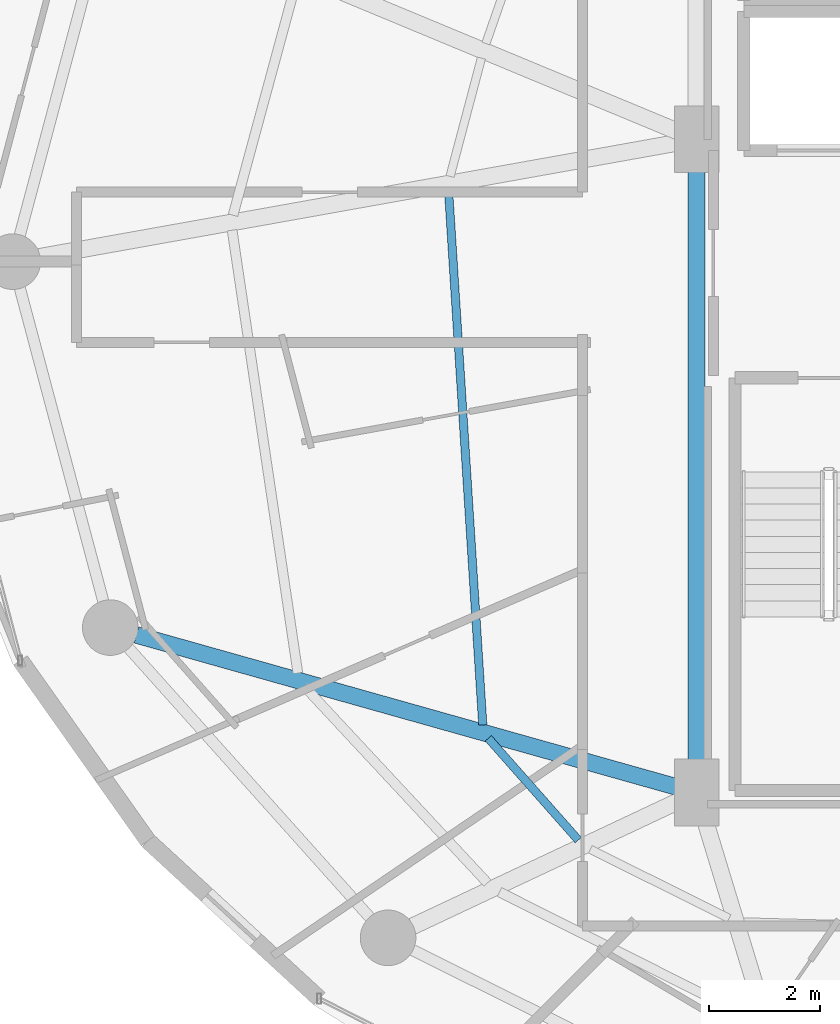
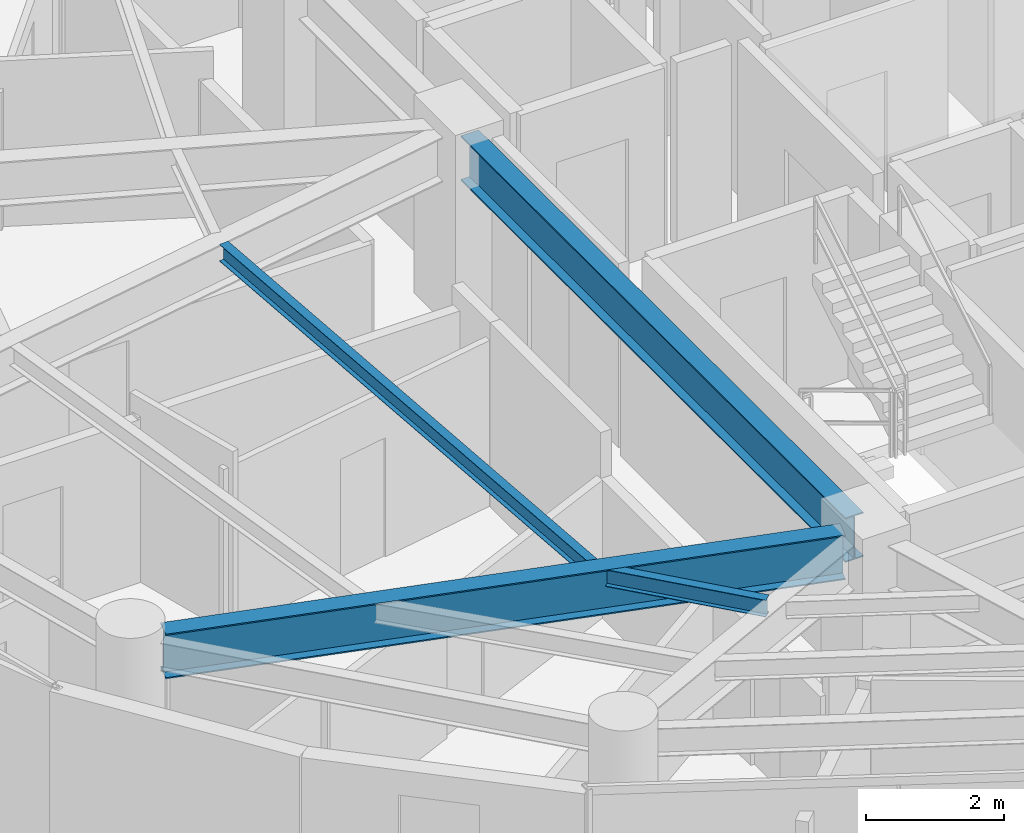
# One storey, part 4 of 31: 4 beams.
"""IFC4 building model written with IfcOpenShell, lengths in metres."""

from ifc_helpers import new_model, si_unit, direction, frame, origin, origin_2d, place, context, subcontext, project, spatial, i_section, extrude, material, material_profile, profile_set, type_object, element, save


model = new_model("IFC4")

# Units and contexts
model_context = context("Model", 3, precision=1e-05, world=origin(), true_north=direction((0.0, 1.0)))
body_context = subcontext(model_context, "Body", "Model", "MODEL_VIEW")
ifc_project = project(units=[si_unit("LENGTHUNIT", "METRE"), si_unit("AREAUNIT", "SQUARE_METRE"), si_unit("VOLUMEUNIT", "CUBIC_METRE"), si_unit("PLANEANGLEUNIT", "RADIAN"), si_unit("MASSUNIT", "GRAM", prefix="KILO")], contexts=[model_context])

# Site, building, storey
site_placement = place(None, origin())
site = spatial("IfcSite", under=ifc_project, at=site_placement, CompositionType="ELEMENT")
building_placement = place(site_placement, origin())
building = spatial("IfcBuilding", under=site, at=building_placement, Name="Vorneva Point Tower", CompositionType="ELEMENT")
storey_placement = place(building_placement, frame((0.0, 0.0, 129.10009765625)))
storey = spatial("IfcBuildingStorey", under=building, at=storey_placement, Name="L34", CompositionType="ELEMENT", Elevation=129.10009765625)

# Beams
ifc_material = material(Name="Steel S355", Category="steel")
ifc_material_profile_1 = material_profile(ifc_material, i_section(OverallWidth=0.300048828125, OverallDepth=0.7880859375, WebThickness=0.014404296875, FlangeThickness=0.02197265625, at=origin_2d()), Name="80Sh1")
ifc_profile_set_1 = profile_set([ifc_material_profile_1], Name="Steel S355")
beam_type_1 = type_object("IfcBeamType", Name="BM-GRD-80Sh1", PredefinedType="USERDEFINED", material=ifc_profile_set_1)
beam_1_placement = place(storey_placement, frame((17.17431640625, 19.28564453125, 2.845947265625), z_axis=(0.96260085362, -0.270923599213, 0.0), x_axis=(0.270923599213, 0.96260085362, 0.0)))
element("IfcBeam", 1, at=beam_1_placement, inside=storey, type_object=beam_type_1, Name="L34 Radial Primary Girder 10", ObjectType="GIRDER", PredefinedType="USERDEFINED", context=body_context, shape_type="SweptSolid", body=[
    extrude(i_section(OverallWidth=0.300048828125, OverallDepth=0.7880859375, WebThickness=0.014404296875, FlangeThickness=0.02197265625, at=origin_2d()), origin(), (0.0, 0.0, 1.0), 10.126953125),
])
beam_2_placement = place(storey_placement, frame((27.25, 16.77001953125, 2.845947265625), z_axis=(0.0, 1.0, 0.0), x_axis=(-1.0, 0.0, 0.0)))
element("IfcBeam", 2, at=beam_2_placement, inside=storey, type_object=beam_type_1, Name="L34 Core Tie Girder CT1", ObjectType="GIRDER", PredefinedType="USERDEFINED", context=body_context, shape_type="SweptSolid", body=[
    extrude(i_section(OverallWidth=0.300048828125, OverallDepth=0.7880859375, WebThickness=0.014404296875, FlangeThickness=0.02197265625, at=origin_2d()), origin(), (0.0, 0.0, 1.0), 11.10986328125),
])
ifc_material_profile_2 = material_profile(ifc_material, i_section(OverallWidth=0.14892578125, OverallDepth=0.298095703125, WebThickness=0.005615234375, FlangeThickness=0.008056640625, at=origin_2d()), Name="30B1")
ifc_profile_set_2 = profile_set([ifc_material_profile_2], Name="Steel S355")
beam_type_2 = type_object("IfcBeamType", Name="BM-JST-30B1", PredefinedType="JOIST", material=ifc_profile_set_2)
beam_3_placement = place(storey_placement, frame((22.78955078125, 27.262939453125, 3.0908203125), z_axis=(0.063960566948, -0.99795242666, 0.0), x_axis=(0.99795242666, 0.063960566948, 0.0)))
element("IfcBeam", 3, at=beam_3_placement, inside=storey, type_object=beam_type_2, Name="L34 Secondary Floor Beam 2.09", PredefinedType="JOIST", context=body_context, shape_type="SweptSolid", body=[
    extrude(i_section(OverallWidth=0.14892578125, OverallDepth=0.298095703125, WebThickness=0.005615234375, FlangeThickness=0.008056640625, at=origin_2d()), origin(), (0.0, 0.0, 1.0), 9.615234375),
])
beam_4_placement = place(storey_placement, frame((23.504638671875, 17.426513671875, 3.0908203125), z_axis=(0.662209536351, -0.74931871054, 0.0), x_axis=(0.74931871054, 0.662209536351, 0.0)))
element("IfcBeam", 4, at=beam_4_placement, inside=storey, type_object=beam_type_2, Name="L34 Secondary Floor Beam 2.10", PredefinedType="JOIST", context=body_context, shape_type="SweptSolid", body=[
    extrude(i_section(OverallWidth=0.14892578125, OverallDepth=0.298095703125, WebThickness=0.005615234375, FlangeThickness=0.008056640625, at=origin_2d()), origin(), (0.0, 0.0, 1.0), 2.44384765625),
])

save(model, "model.ifc")
